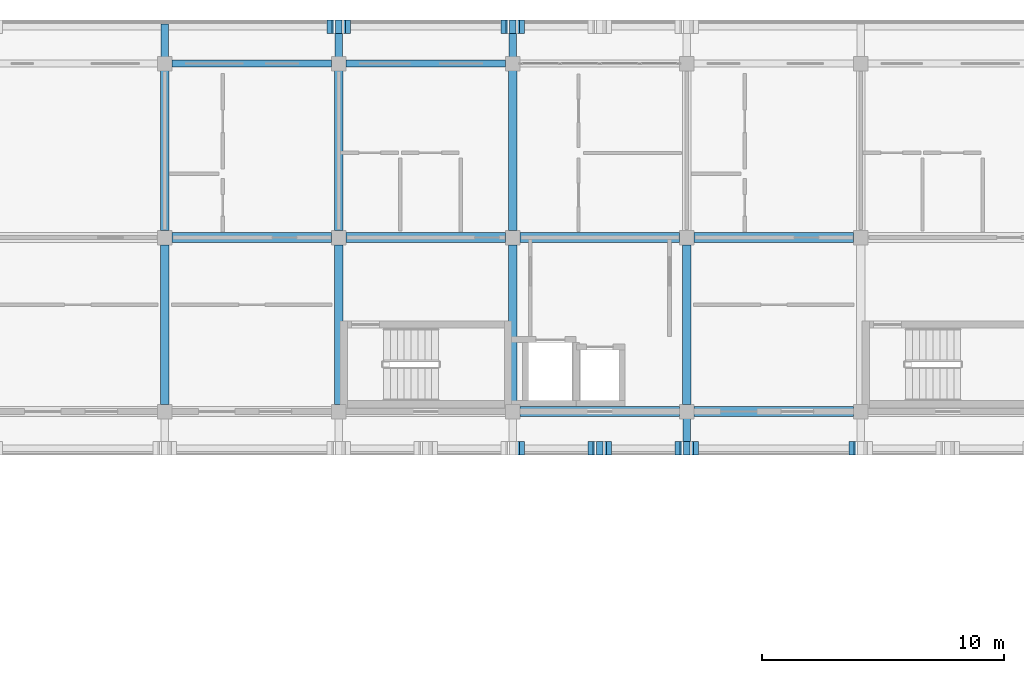
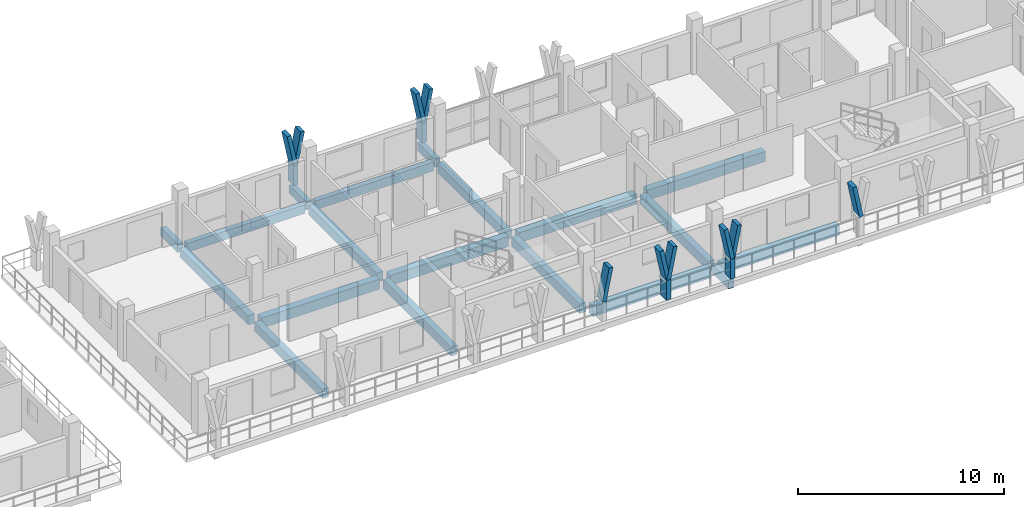
# One storey, part 30 of 78: 19 beams, 14 members.
"""IFC4 building model written with IfcOpenShell, lengths in metres."""

import ifcopenshell
import ifcopenshell.guid

model = None  # the IFC model being written
_history = None  # IfcOwnerHistory: only IFC2X3 demands one
_inside = {}  # id of a spatial element -> (the spatial element, [elements in it])
_under = {}  # id of a project, library or spatial element -> (it, [spatial elements below it])
_declared = {}  # id of a project -> (the project, [libraries it declares])
_typed = {}  # id of a type object -> (the type object, [elements of that type])
_made_of = {}  # id of a material, layer set ... -> (it, [elements and type objects made of it])


def new_model(schema):
    """Start an empty IFC model of exactly this schema.

    Asked for "IFC4X3", IfcOpenShell would pick the latest addendum, in which some entities
    have other attributes; the version numbers below select the first issue.
    IFC2X3 requires an IfcOwnerHistory on every rooted entity: one is made here for all.
    """
    global model, _history
    if schema == "IFC4X3":
        model = ifcopenshell.file(schema_version=(4, 3, 0, 0))
    else:
        model = ifcopenshell.file(schema=schema)
    _inside.clear()
    _under.clear()
    _declared.clear()
    _typed.clear()
    _made_of.clear()
    _history = None
    if model.schema == "IFC2X3":
        org = make("IfcOrganization", Name="unknown")
        user = make(
            "IfcPersonAndOrganization",
            ThePerson=make("IfcPerson", FamilyName="unknown"),
            TheOrganization=org,
        )
        app = make(
            "IfcApplication",
            ApplicationDeveloper=org,
            Version="unknown",
            ApplicationFullName="unknown",
            ApplicationIdentifier="unknown",
        )
        _history = make(
            "IfcOwnerHistory",
            OwningUser=user,
            OwningApplication=app,
            ChangeAction="ADDED",
            CreationDate=0,
        )
    return model


def make(cls, **values):
    """One entity of the class cls with the attributes given. An attribute that is None is left unset."""
    return model.create_entity(
        cls, **{name: value for name, value in values.items() if value is not None}
    )


def rooted(cls, **values):
    """An entity with a GlobalId (a new one), such as an element, a storey or a relation."""
    return make(cls, GlobalId=ifcopenshell.guid.new(), OwnerHistory=_history, **values)


def si_unit(unit_type, name, prefix=None):
    """IfcSIUnit, for example si_unit("LENGTHUNIT", "METRE", prefix="MILLI")."""
    return make("IfcSIUnit", UnitType=unit_type, Prefix=prefix, Name=name)


def assignment(units):
    """IfcUnitAssignment: the units of a project."""
    return None if units is None else make("IfcUnitAssignment", Units=units)


def point(xyz):
    """IfcCartesianPoint."""
    return None if xyz is None else make("IfcCartesianPoint", Coordinates=xyz)


def direction(xyz):
    """IfcDirection."""
    return None if xyz is None else make("IfcDirection", DirectionRatios=xyz)


def frame(location, z_axis=None, x_axis=None):
    """IfcAxis2Placement3D, a coordinate frame: its origin and axes. An axis left out is left unset."""
    return make(
        "IfcAxis2Placement3D",
        Location=point(location),
        Axis=direction(z_axis),
        RefDirection=direction(x_axis),
    )


def frame_2d(location, x_axis=None):
    """IfcAxis2Placement2D, a coordinate frame in the plane: its origin and x axis."""
    return make(
        "IfcAxis2Placement2D", Location=point(location), RefDirection=direction(x_axis)
    )


def origin():
    """The frame at (0, 0, 0) with its axes left unset."""
    return frame((0.0, 0.0, 0.0))


def origin_2d():
    """The frame at (0, 0) in the plane with its x axis left unset."""
    return frame_2d((0.0, 0.0))


def place(relative_to, where):
    """IfcLocalPlacement: puts the frame where relative to a parent placement (None: the world)."""
    return make(
        "IfcLocalPlacement", PlacementRelTo=relative_to, RelativePlacement=where
    )


def context(
    kind, dimensions, precision=None, world=None, true_north=None, identifier=None
):
    """IfcGeometricRepresentationContext, for example the 3D "Model" context."""
    return make(
        "IfcGeometricRepresentationContext",
        ContextIdentifier=identifier,
        ContextType=kind,
        CoordinateSpaceDimension=dimensions,
        Precision=precision,
        WorldCoordinateSystem=world,
        TrueNorth=true_north,
    )


def subcontext(parent, identifier, kind, view, scale=None):
    """IfcGeometricRepresentationSubContext, for example "Body" below "Model"."""
    return make(
        "IfcGeometricRepresentationSubContext",
        ContextIdentifier=identifier,
        ContextType=kind,
        ParentContext=parent,
        TargetScale=scale,
        TargetView=view,
    )


def project(units=None, contexts=None):
    """IfcProject with its units and contexts."""
    return rooted(
        "IfcProject",
        Name="project",
        RepresentationContexts=contexts,
        UnitsInContext=assignment(units),
    )


def spatial(cls, under=None, at=None, **own):
    """A site, building, storey or space (cls), placed at a placement, below another one or the project."""
    s = rooted(cls, ObjectPlacement=at, **own)
    if under is not None:
        _under.setdefault(under.id(), (under, []))[1].append(s)
    return s


def profile(cls, at=None, kind="AREA", **sizes):
    """A parametric profile (cls). Its sizes go by their IFC names, for example OverallWidth=200.0."""
    return make(cls, ProfileType=kind, Position=at, **sizes)


def rectangle(**sizes):
    """IfcRectangleProfileDef."""
    return profile("IfcRectangleProfileDef", **sizes)


def extrude(swept, where, along, depth):
    """IfcExtrudedAreaSolid: the profile swept, set in the frame where, extruded along a direction by depth."""
    return make(
        "IfcExtrudedAreaSolid",
        SweptArea=swept,
        Position=where,
        ExtrudedDirection=direction(along),
        Depth=depth,
    )


def shape(context_of_items, identifier, shape_type, items):
    """IfcShapeRepresentation: the items that make up one representation, for example the "Body"."""
    return make(
        "IfcShapeRepresentation",
        ContextOfItems=context_of_items,
        RepresentationIdentifier=identifier,
        RepresentationType=shape_type,
        Items=items,
    )


def material(Name=None, Category=None):
    """IfcMaterial."""
    return make("IfcMaterial", Name=Name, Category=Category)


def material_profile(
    of_material, cross_section, Name=None, Category=None, Priority=None
):
    """IfcMaterialProfile: a cross section and its material."""
    return make(
        "IfcMaterialProfile",
        Name=Name,
        Material=of_material,
        Profile=cross_section,
        Priority=Priority,
        Category=Category,
    )


def profile_set(profiles, Name=None, composite=None):
    """IfcMaterialProfileSet."""
    return make(
        "IfcMaterialProfileSet",
        Name=Name,
        MaterialProfiles=profiles,
        CompositeProfile=composite,
    )


def made_of(thing, what):
    """Note that an element or type object is made of a material, layer set ...; save() writes the relation."""
    if what is not None:
        _made_of.setdefault(what.id(), (what, []))[1].append(thing)
    return thing


def type_object(cls, material=None, **own):
    """A type object (cls), such as IfcWallType, which elements share."""
    return made_of(rooted(cls, **own), material)


def element(
    cls,
    number,
    at=None,
    inside=None,
    cuts=None,
    type_object=None,
    material=None,
    context=None,
    identifier="Body",
    shape_type=None,
    held_by="IfcProductDefinitionShape",
    body=None,
    shapes=None,
    **own,
):
    """One element of the class cls, such as IfcWall. Its Tag is "e" and its number.

    at: its placement. inside: the storey or other place that contains it. cuts: it is an
    opening in that element (IfcRelVoidsElement). A single representation is given by context,
    identifier, shape_type and body (its items); several are given by shapes. held_by: the class
    of the entity that holds the representations. save() writes the other relations.
    """
    e = rooted(cls, Tag="e%d" % number, ObjectPlacement=at, **own)
    if body is not None:
        shapes = [shape(context, identifier, shape_type, body)]
    if shapes is not None:
        e.Representation = make(held_by, Representations=shapes)
    if inside is not None:
        _inside.setdefault(inside.id(), (inside, []))[1].append(e)
    if cuts is not None:
        rooted(
            "IfcRelVoidsElement", RelatingBuildingElement=cuts, RelatedOpeningElement=e
        )
    if type_object is not None:
        _typed.setdefault(type_object.id(), (type_object, []))[1].append(e)
    return made_of(e, material)


def aggregate(whole, parts):
    """IfcRelAggregates: a whole, such as a stair, and the parts it consists of."""
    return rooted("IfcRelAggregates", RelatingObject=whole, RelatedObjects=parts)


def save(model, path):
    """Write the relations noted so far, then the file.

    IfcRelAggregates (storeys below a building ...), IfcRelContainedInSpatialStructure (elements
    in a storey), IfcRelDefinesByType, IfcRelAssociatesMaterial and IfcRelDeclares: one each for
    every whole, place, type object, material and project.
    """
    for whole, parts in _under.values():
        aggregate(whole, parts)
    for where, things in _inside.values():
        rooted(
            "IfcRelContainedInSpatialStructure",
            RelatedElements=things,
            RelatingStructure=where,
        )
    for kind, things in _typed.values():
        rooted("IfcRelDefinesByType", RelatedObjects=things, RelatingType=kind)
    for what, things in _made_of.values():
        rooted("IfcRelAssociatesMaterial", RelatedObjects=things, RelatingMaterial=what)
    for by, libraries in _declared.values():
        rooted("IfcRelDeclares", RelatingContext=by, RelatedDefinitions=libraries)
    model.write(path)


model = new_model("IFC4")

# Units and contexts
model_context = context("Model", 3, precision=1e-05, world=origin(), true_north=direction((0.0, 1.0)))
body_context = subcontext(model_context, "Body", "Model", "MODEL_VIEW")
ifc_project = project(units=[si_unit("LENGTHUNIT", "METRE"), si_unit("AREAUNIT", "SQUARE_METRE"), si_unit("VOLUMEUNIT", "CUBIC_METRE"), si_unit("PLANEANGLEUNIT", "RADIAN"), si_unit("MASSUNIT", "GRAM", prefix="KILO")], contexts=[model_context])

# Site, building, storey
site_placement = place(None, origin())
site = spatial("IfcSite", under=ifc_project, at=site_placement, CompositionType="ELEMENT")
building_placement = place(site_placement, origin())
building = spatial("IfcBuilding", under=site, at=building_placement, Name="Suanplinth Sawtooth Commons", CompositionType="ELEMENT")
storey_placement = place(building_placement, frame((0.0, 0.0, 15.39990234375)))
storey = spatial("IfcBuildingStorey", under=building, at=storey_placement, Name="L04", CompositionType="ELEMENT", Elevation=15.39990234375)

# Beams
ifc_material_1 = material(Name="Precast concrete C40/50", Category="concrete")
ifc_material_profile_1 = material_profile(ifc_material_1, rectangle(XDim=0.39990234375, YDim=0.60009765625, at=origin_2d()), Name="PC-GDR 400x600")
ifc_profile_set_1 = profile_set([ifc_material_profile_1], Name="Precast concrete C40/50")
beam_type_1 = type_object("IfcBeamType", Name="B-05", PredefinedType="USERDEFINED", material=ifc_profile_set_1)
beam_1_placement = place(storey_placement, frame((129.89990234375, 115.199951171875, -0.52001953125), z_axis=(1.0, 0.0, 0.0), x_axis=(0.0, 1.0, 0.0)))
element("IfcBeam", 1, at=beam_1_placement, inside=storey, type_object=beam_type_1, Name="BMX-L04-B-18-16", ObjectType="GIRDER", PredefinedType="USERDEFINED", context=body_context, shape_type="SweptSolid", body=[
    extrude(rectangle(XDim=0.39990234375, YDim=0.60009765625, at=origin_2d()), origin(), (0.0, 0.0, 1.0), 6.60009765625),
])
for number, where, z_axis, x_axis, name in (
    (2, (137.10009765625, 115.199951171875, -0.52001953125), (1.0, 0.0, 0.0), (0.0, 1.0, 0.0), "BMX-L04-B-19-16"),
    (3, (144.300048828125, 108.0, -0.52001953125), (1.0, 0.0, 0.0), (0.0, 1.0, 0.0), "BMX-L04-B-20-15"),
    (4, (144.300048828125, 115.199951171875, -0.52001953125), (1.0, 0.0, 0.0), (0.0, 1.0, 0.0), "BMX-L04-B-20-16"),
):
    element("IfcBeam", number, at=place(storey_placement, frame(where, z_axis=z_axis, x_axis=x_axis)), inside=storey, type_object=beam_type_1, Name=name, ObjectType="GIRDER", PredefinedType="USERDEFINED", context=body_context, shape_type="SweptSolid", body=[
        extrude(rectangle(XDim=0.39990234375, YDim=0.60009765625, at=origin_2d()), origin(), (0.0, 0.0, 1.0), 6.599853515625),
    ])
for number, where, z_axis, x_axis, name in (
    (5, (151.5, 108.0, -0.52001953125), (1.0, 0.0, 0.0), (0.0, 1.0, 0.0), "BMX-L04-B-21-15"),
    (6, (151.5, 115.199951171875, -0.52001953125), (1.0, 0.0, 0.0), (0.0, 1.0, 0.0), "BMX-L04-B-21-16"),
):
    element("IfcBeam", number, at=place(storey_placement, frame(where, z_axis=z_axis, x_axis=x_axis)), inside=storey, type_object=beam_type_1, Name=name, ObjectType="GIRDER", PredefinedType="USERDEFINED", context=body_context, shape_type="SweptSolid", body=[
        extrude(rectangle(XDim=0.39990234375, YDim=0.60009765625, at=origin_2d()), origin(), (0.0, 0.0, 1.0), 6.60009765625),
    ])
ifc_material_profile_2 = material_profile(ifc_material_1, rectangle(XDim=0.35009765625, YDim=0.550048828125, at=origin_2d()), Name="PC-BM 350x550")
ifc_profile_set_2 = profile_set([ifc_material_profile_2], Name="Precast concrete C40/50")
beam_type_2 = type_object("IfcBeamType", Name="B-06", PredefinedType="BEAM", material=ifc_profile_set_2)
beam_2_placement = place(storey_placement, frame((129.60009765625, 108.300048828125, -0.494873046875), z_axis=(0.0, 1.0, 0.0), x_axis=(-1.0, 0.0, 0.0)))
element("IfcBeam", 7, at=beam_2_placement, inside=storey, type_object=beam_type_2, Name="BMY-L04-B-18-15", PredefinedType="BEAM", context=body_context, shape_type="SweptSolid", body=[
    extrude(rectangle(XDim=0.35009765625, YDim=0.550048828125, at=origin_2d()), origin(), (0.0, 0.0, 1.0), 6.599853515625),
])
beam_3_placement = place(storey_placement, frame((129.60009765625, 115.5, -0.494873046875), z_axis=(0.0, 1.0, 0.0), x_axis=(-1.0, 0.0, 0.0)))
element("IfcBeam", 8, at=beam_3_placement, inside=storey, type_object=beam_type_2, Name="BMY-L04-B-18-16", PredefinedType="BEAM", context=body_context, shape_type="SweptSolid", body=[
    extrude(rectangle(XDim=0.35009765625, YDim=0.550048828125, at=origin_2d()), origin(), (0.0, 0.0, 1.0), 6.60009765625),
])
beam_4_placement = place(storey_placement, frame((136.800048828125, 108.300048828125, -0.494873046875), z_axis=(0.0, 1.0, 0.0), x_axis=(-1.0, 0.0, 0.0)))
element("IfcBeam", 9, at=beam_4_placement, inside=storey, type_object=beam_type_2, Name="BMY-L04-B-19-15", PredefinedType="BEAM", context=body_context, shape_type="SweptSolid", body=[
    extrude(rectangle(XDim=0.35009765625, YDim=0.550048828125, at=origin_2d()), origin(), (0.0, 0.0, 1.0), 6.599853515625),
])
beam_5_placement = place(storey_placement, frame((136.800048828125, 115.5, -0.494873046875), z_axis=(0.0, 1.0, 0.0), x_axis=(-1.0, 0.0, 0.0)))
element("IfcBeam", 10, at=beam_5_placement, inside=storey, type_object=beam_type_2, Name="BMY-L04-B-19-16", PredefinedType="BEAM", context=body_context, shape_type="SweptSolid", body=[
    extrude(rectangle(XDim=0.35009765625, YDim=0.550048828125, at=origin_2d()), origin(), (0.0, 0.0, 1.0), 6.60009765625),
])
beam_6_placement = place(storey_placement, frame((144.0, 108.300048828125, -0.494873046875), z_axis=(0.0, 1.0, 0.0), x_axis=(-1.0, 0.0, 0.0)))
element("IfcBeam", 11, at=beam_6_placement, inside=storey, type_object=beam_type_2, Name="BMY-L04-B-20-15", PredefinedType="BEAM", context=body_context, shape_type="SweptSolid", body=[
    extrude(rectangle(XDim=0.35009765625, YDim=0.550048828125, at=origin_2d()), origin(), (0.0, 0.0, 1.0), 6.599853515625),
])
beam_7_placement = place(storey_placement, frame((144.0, 115.5, -0.494873046875), z_axis=(0.0, 1.0, 0.0), x_axis=(-1.0, 0.0, 0.0)))
element("IfcBeam", 12, at=beam_7_placement, inside=storey, type_object=beam_type_2, Name="BMY-L04-B-20-16", PredefinedType="BEAM", context=body_context, shape_type="SweptSolid", body=[
    extrude(rectangle(XDim=0.35009765625, YDim=0.550048828125, at=origin_2d()), origin(), (0.0, 0.0, 1.0), 6.60009765625),
])
beam_8_placement = place(storey_placement, frame((151.199951171875, 108.300048828125, -0.494873046875), z_axis=(0.0, 1.0, 0.0), x_axis=(-1.0, 0.0, 0.0)))
element("IfcBeam", 13, at=beam_8_placement, inside=storey, type_object=beam_type_2, Name="BMY-L04-B-21-15", PredefinedType="BEAM", context=body_context, shape_type="SweptSolid", body=[
    extrude(rectangle(XDim=0.35009765625, YDim=0.550048828125, at=origin_2d()), origin(), (0.0, 0.0, 1.0), 6.599853515625),
])
ifc_material_profile_3 = material_profile(ifc_material_1, rectangle(XDim=0.300048828125, YDim=0.5, at=origin_2d()), Name="PC-BM 300x500")
ifc_profile_set_3 = profile_set([ifc_material_profile_3], Name="Precast concrete C40/50")
beam_type_3 = type_object("IfcBeamType", Name="B-07", PredefinedType="BEAM", material=ifc_profile_set_3)
for number, where, z_axis, x_axis, name in (
    (14, (129.60009765625, 122.39990234375, -0.429931640625), (0.0, 1.0, 0.0), (-1.0, 0.0, 0.0), "Balcony Outrigger L04-B-N-18"),
    (15, (136.800048828125, 122.39990234375, -0.429931640625), (0.0, 1.0, 0.0), (-1.0, 0.0, 0.0), "Balcony Outrigger L04-B-N-19"),
    (16, (144.0, 122.39990234375, -0.429931640625), (0.0, 1.0, 0.0), (-1.0, 0.0, 0.0), "Balcony Outrigger L04-B-N-20"),
):
    element("IfcBeam", number, at=place(storey_placement, frame(where, z_axis=z_axis, x_axis=x_axis)), inside=storey, type_object=beam_type_3, Name=name, PredefinedType="BEAM", context=body_context, shape_type="SweptSolid", body=[
        extrude(rectangle(XDim=0.300048828125, YDim=0.5, at=origin_2d()), origin(), (0.0, 0.0, 1.0), 1.64013671875),
    ])
beam_9_placement = place(storey_placement, frame((151.199951171875, 108.0, -0.4248046875), z_axis=(0.0, -1.0, 0.0), x_axis=(1.0, 0.0, 0.0)))
element("IfcBeam", 17, at=beam_9_placement, inside=storey, type_object=beam_type_3, Name="Balcony Outrigger L04-B-SC-21", PredefinedType="BEAM", context=body_context, shape_type="SweptSolid", body=[
    extrude(rectangle(XDim=0.300048828125, YDim=0.5, at=origin_2d()), origin(), (0.0, 0.0, 1.0), 1.639892578125),
])
ifc_material_profile_4 = material_profile(ifc_material_1, rectangle(XDim=0.280029296875, YDim=0.52001953125, at=origin_2d()), Name="PC-SP 280x520")
ifc_profile_set_4 = profile_set([ifc_material_profile_4], Name="Precast concrete C40/50")
beam_type_4 = type_object("IfcBeamType", Name="B-08", PredefinedType="SPANDREL", material=ifc_profile_set_4)
beam_10_placement = place(storey_placement, frame((129.89990234375, 122.39990234375, -0.47998046875), z_axis=(1.0, 0.0, 0.0), x_axis=(0.0, 1.0, 0.0)))
element("IfcBeam", 18, at=beam_10_placement, inside=storey, type_object=beam_type_4, Name="BMX-L04-B-18-17", PredefinedType="SPANDREL", context=body_context, shape_type="SweptSolid", body=[
    extrude(rectangle(XDim=0.280029296875, YDim=0.52001953125, at=origin_2d()), origin(), (0.0, 0.0, 1.0), 6.60009765625),
])
beam_11_placement = place(storey_placement, frame((137.10009765625, 122.39990234375, -0.47998046875), z_axis=(1.0, 0.0, 0.0), x_axis=(0.0, 1.0, 0.0)))
element("IfcBeam", 19, at=beam_11_placement, inside=storey, type_object=beam_type_4, Name="BMX-L04-B-19-17", PredefinedType="SPANDREL", context=body_context, shape_type="SweptSolid", body=[
    extrude(rectangle(XDim=0.280029296875, YDim=0.52001953125, at=origin_2d()), origin(), (0.0, 0.0, 1.0), 6.599853515625),
])

# Members
ifc_material_2 = material(Name="Pigmented precast concrete C40/50", Category="concrete")
ifc_material_profile_5 = material_profile(ifc_material_2, rectangle(XDim=0.260009765625, YDim=0.550048828125, at=origin_2d()), Name="PC-FIN 260x550")
ifc_profile_set_5 = profile_set([ifc_material_profile_5], Name="Pigmented precast concrete C40/50")
member_type_1 = type_object("IfcMemberType", Name="M-09", PredefinedType="USERDEFINED", material=ifc_profile_set_5)
for number, where, z_axis, x_axis, name in (
    (20, (136.800048828125, 123.919921875, 0.0), (0.0, 0.0, 1.0), (1.0, 0.0, 0.0), "Y-Blade Stem L04-B-N-02"),
    (21, (144.0, 123.919921875, 0.0), (0.0, 0.0, 1.0), (1.0, 0.0, 0.0), "Y-Blade Stem L04-B-N-03"),
    (22, (147.60009765625, 106.47998046875, 0.0), (0.0, 0.0, 1.0), (1.0, 0.0, 0.0), "Y-Blade Stem L04-B-SC-21"),
    (23, (151.199951171875, 106.47998046875, 0.0), (0.0, 0.0, 1.0), (1.0, 0.0, 0.0), "Y-Blade Stem L04-B-SC-22"),
):
    element("IfcMember", number, at=place(storey_placement, frame(where, z_axis=z_axis, x_axis=x_axis)), inside=storey, type_object=member_type_1, Name=name, ObjectType="SHADING FIN", PredefinedType="USERDEFINED", context=body_context, shape_type="SweptSolid", body=[
        extrude(rectangle(XDim=0.260009765625, YDim=0.550048828125, at=origin_2d()), origin(), (0.0, 0.0, 1.0), 1.170166015625),
    ])
ifc_material_profile_6 = material_profile(ifc_material_2, rectangle(XDim=0.219970703125, YDim=0.550048828125, at=origin_2d()), Name="PC-FIN 220x550")
ifc_profile_set_6 = profile_set([ifc_material_profile_6], Name="Pigmented precast concrete C40/50")
member_type_2 = type_object("IfcMemberType", Name="M-10", PredefinedType="USERDEFINED", material=ifc_profile_set_6)
member_1_placement = place(storey_placement, frame((136.800048828125, 123.919921875, 1.130126953125), z_axis=(-0.196431120402, 0.0, 0.980517626021), x_axis=(0.980517626021, 0.0, 0.196431120402)))
element("IfcMember", 24, at=member_1_placement, inside=storey, type_object=member_type_2, Name="Y-Blade Arm L L04-B-N-02", ObjectType="SHADING FIN", PredefinedType="USERDEFINED", context=body_context, shape_type="SweptSolid", body=[
    extrude(rectangle(XDim=0.219970703125, YDim=0.550048828125, at=origin_2d()), origin(), (0.0, 0.0, 1.0), 1.937744140625),
])
member_2_placement = place(storey_placement, frame((136.800048828125, 123.919921875, 1.130126953125), z_axis=(0.196309979414, 0.0, 0.980541886909), x_axis=(-0.980541886909, 0.0, 0.196309979414)))
element("IfcMember", 25, at=member_2_placement, inside=storey, type_object=member_type_2, Name="Y-Blade Arm R L04-B-N-02", ObjectType="SHADING FIN", PredefinedType="USERDEFINED", context=body_context, shape_type="SweptSolid", body=[
    extrude(rectangle(XDim=0.219970703125, YDim=0.550048828125, at=origin_2d()), origin(), (0.0, 0.0, 1.0), 1.9375),
])
for number, where, z_axis, x_axis, name in (
    (26, (144.0, 123.919921875, 1.130126953125), (-0.196431120402, 0.0, 0.980517626021), (0.980517626021, 0.0, 0.196431120402), "Y-Blade Arm L L04-B-N-03"),
    (27, (144.0, 123.919921875, 1.130126953125), (0.196431120402, 0.0, 0.980517626021), (-0.980517626021, 0.0, 0.196431120402), "Y-Blade Arm R L04-B-N-03"),
    (28, (144.0, 106.47998046875, 1.130126953125), (0.196431120402, 0.0, 0.980517626021), (-0.980517626021, 0.0, 0.196431120402), "Y-Blade Arm R L04-B-SC-20"),
    (29, (147.60009765625, 106.47998046875, 1.130126953125), (-0.196431120402, 0.0, 0.980517626021), (0.980517626021, 0.0, 0.196431120402), "Y-Blade Arm L L04-B-SC-21"),
):
    element("IfcMember", number, at=place(storey_placement, frame(where, z_axis=z_axis, x_axis=x_axis)), inside=storey, type_object=member_type_2, Name=name, ObjectType="SHADING FIN", PredefinedType="USERDEFINED", context=body_context, shape_type="SweptSolid", body=[
        extrude(rectangle(XDim=0.219970703125, YDim=0.550048828125, at=origin_2d()), origin(), (0.0, 0.0, 1.0), 1.937744140625),
    ])
for number, where, z_axis, x_axis, name in (
    (30, (147.60009765625, 106.47998046875, 1.130126953125), (0.196309979414, 0.0, 0.980541886909), (-0.980541886909, 0.0, 0.196309979414), "Y-Blade Arm R L04-B-SC-21"),
    (31, (151.199951171875, 106.47998046875, 1.130126953125), (-0.196309979414, 0.0, 0.980541886909), (0.980541886909, 0.0, 0.196309979414), "Y-Blade Arm L L04-B-SC-22"),
):
    element("IfcMember", number, at=place(storey_placement, frame(where, z_axis=z_axis, x_axis=x_axis)), inside=storey, type_object=member_type_2, Name=name, ObjectType="SHADING FIN", PredefinedType="USERDEFINED", context=body_context, shape_type="SweptSolid", body=[
        extrude(rectangle(XDim=0.219970703125, YDim=0.550048828125, at=origin_2d()), origin(), (0.0, 0.0, 1.0), 1.9375),
    ])
member_3_placement = place(storey_placement, frame((151.199951171875, 106.47998046875, 1.130126953125), z_axis=(0.196431120402, 0.0, 0.980517626021), x_axis=(-0.980517626021, 0.0, 0.196431120402)))
element("IfcMember", 32, at=member_3_placement, inside=storey, type_object=member_type_2, Name="Y-Blade Arm R L04-B-SC-22", ObjectType="SHADING FIN", PredefinedType="USERDEFINED", context=body_context, shape_type="SweptSolid", body=[
    extrude(rectangle(XDim=0.219970703125, YDim=0.550048828125, at=origin_2d()), origin(), (0.0, 0.0, 1.0), 1.937744140625),
])
member_4_placement = place(storey_placement, frame((158.39990234375, 106.47998046875, 1.130126953125), z_axis=(-0.196309979414, 0.0, 0.980541886909), x_axis=(0.980541886909, 0.0, 0.196309979414)))
element("IfcMember", 33, at=member_4_placement, inside=storey, type_object=member_type_2, Name="Y-Blade Arm L L04-B-SC-23", ObjectType="SHADING FIN", PredefinedType="USERDEFINED", context=body_context, shape_type="SweptSolid", body=[
    extrude(rectangle(XDim=0.219970703125, YDim=0.550048828125, at=origin_2d()), origin(), (0.0, 0.0, 1.0), 1.9375),
])

save(model, "model.ifc")
